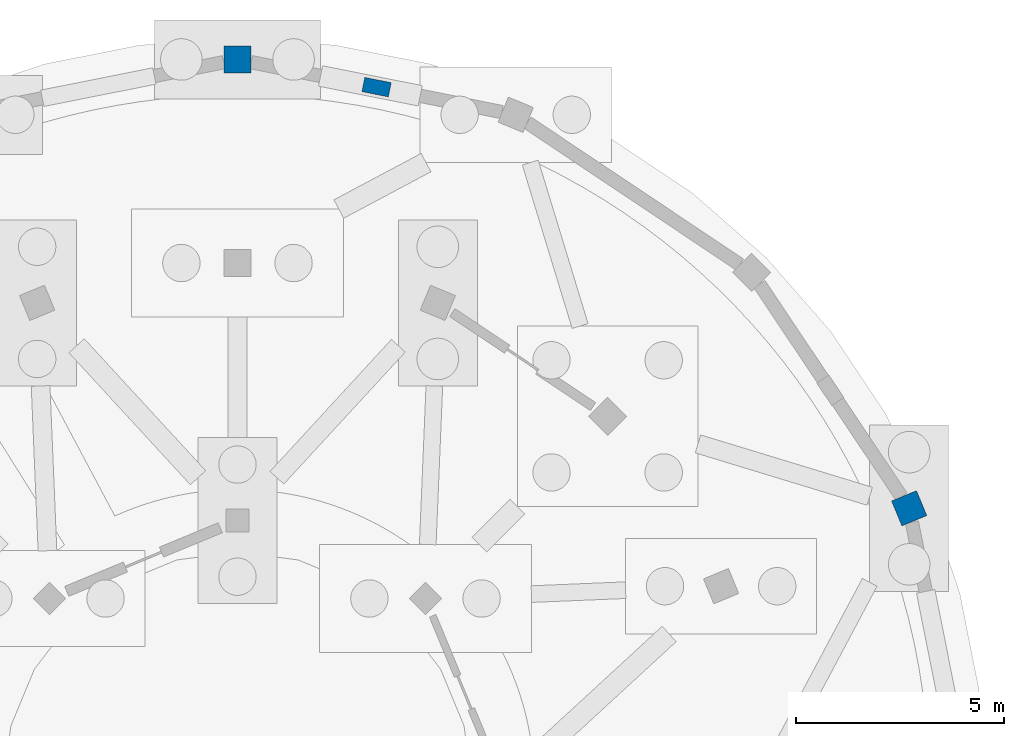
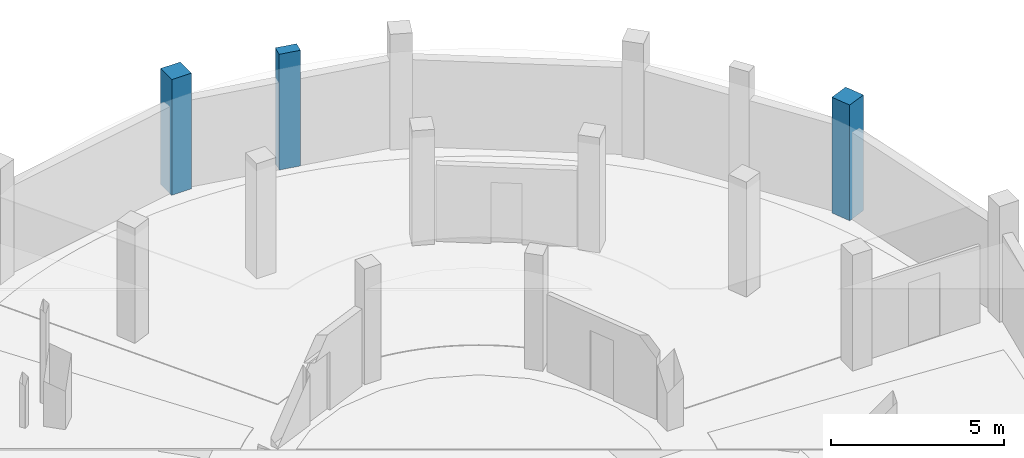
# One storey, part 32 of 58: 3 columns.
"""IFC4 building model written with IfcOpenShell, lengths in metres."""

import ifcopenshell
import ifcopenshell.guid

model = None  # the IFC model being written
_history = None  # IfcOwnerHistory: only IFC2X3 demands one
_inside = {}  # id of a spatial element -> (the spatial element, [elements in it])
_under = {}  # id of a project, library or spatial element -> (it, [spatial elements below it])
_declared = {}  # id of a project -> (the project, [libraries it declares])
_typed = {}  # id of a type object -> (the type object, [elements of that type])
_made_of = {}  # id of a material, layer set ... -> (it, [elements and type objects made of it])


def new_model(schema):
    """Start an empty IFC model of exactly this schema.

    Asked for "IFC4X3", IfcOpenShell would pick the latest addendum, in which some entities
    have other attributes; the version numbers below select the first issue.
    IFC2X3 requires an IfcOwnerHistory on every rooted entity: one is made here for all.
    """
    global model, _history
    if schema == "IFC4X3":
        model = ifcopenshell.file(schema_version=(4, 3, 0, 0))
    else:
        model = ifcopenshell.file(schema=schema)
    _inside.clear()
    _under.clear()
    _declared.clear()
    _typed.clear()
    _made_of.clear()
    _history = None
    if model.schema == "IFC2X3":
        org = make("IfcOrganization", Name="unknown")
        user = make(
            "IfcPersonAndOrganization",
            ThePerson=make("IfcPerson", FamilyName="unknown"),
            TheOrganization=org,
        )
        app = make(
            "IfcApplication",
            ApplicationDeveloper=org,
            Version="unknown",
            ApplicationFullName="unknown",
            ApplicationIdentifier="unknown",
        )
        _history = make(
            "IfcOwnerHistory",
            OwningUser=user,
            OwningApplication=app,
            ChangeAction="ADDED",
            CreationDate=0,
        )
    return model


def make(cls, **values):
    """One entity of the class cls with the attributes given. An attribute that is None is left unset."""
    return model.create_entity(
        cls, **{name: value for name, value in values.items() if value is not None}
    )


def rooted(cls, **values):
    """An entity with a GlobalId (a new one), such as an element, a storey or a relation."""
    return make(cls, GlobalId=ifcopenshell.guid.new(), OwnerHistory=_history, **values)


def si_unit(unit_type, name, prefix=None):
    """IfcSIUnit, for example si_unit("LENGTHUNIT", "METRE", prefix="MILLI")."""
    return make("IfcSIUnit", UnitType=unit_type, Prefix=prefix, Name=name)


def assignment(units):
    """IfcUnitAssignment: the units of a project."""
    return None if units is None else make("IfcUnitAssignment", Units=units)


def point(xyz):
    """IfcCartesianPoint."""
    return None if xyz is None else make("IfcCartesianPoint", Coordinates=xyz)


def direction(xyz):
    """IfcDirection."""
    return None if xyz is None else make("IfcDirection", DirectionRatios=xyz)


def frame(location, z_axis=None, x_axis=None):
    """IfcAxis2Placement3D, a coordinate frame: its origin and axes. An axis left out is left unset."""
    return make(
        "IfcAxis2Placement3D",
        Location=point(location),
        Axis=direction(z_axis),
        RefDirection=direction(x_axis),
    )


def frame_2d(location, x_axis=None):
    """IfcAxis2Placement2D, a coordinate frame in the plane: its origin and x axis."""
    return make(
        "IfcAxis2Placement2D", Location=point(location), RefDirection=direction(x_axis)
    )


def origin():
    """The frame at (0, 0, 0) with its axes left unset."""
    return frame((0.0, 0.0, 0.0))


def origin_2d():
    """The frame at (0, 0) in the plane with its x axis left unset."""
    return frame_2d((0.0, 0.0))


def place(relative_to, where):
    """IfcLocalPlacement: puts the frame where relative to a parent placement (None: the world)."""
    return make(
        "IfcLocalPlacement", PlacementRelTo=relative_to, RelativePlacement=where
    )


def context(
    kind, dimensions, precision=None, world=None, true_north=None, identifier=None
):
    """IfcGeometricRepresentationContext, for example the 3D "Model" context."""
    return make(
        "IfcGeometricRepresentationContext",
        ContextIdentifier=identifier,
        ContextType=kind,
        CoordinateSpaceDimension=dimensions,
        Precision=precision,
        WorldCoordinateSystem=world,
        TrueNorth=true_north,
    )


def subcontext(parent, identifier, kind, view, scale=None):
    """IfcGeometricRepresentationSubContext, for example "Body" below "Model"."""
    return make(
        "IfcGeometricRepresentationSubContext",
        ContextIdentifier=identifier,
        ContextType=kind,
        ParentContext=parent,
        TargetScale=scale,
        TargetView=view,
    )


def project(units=None, contexts=None):
    """IfcProject with its units and contexts."""
    return rooted(
        "IfcProject",
        Name="project",
        RepresentationContexts=contexts,
        UnitsInContext=assignment(units),
    )


def spatial(cls, under=None, at=None, **own):
    """A site, building, storey or space (cls), placed at a placement, below another one or the project."""
    s = rooted(cls, ObjectPlacement=at, **own)
    if under is not None:
        _under.setdefault(under.id(), (under, []))[1].append(s)
    return s


def profile(cls, at=None, kind="AREA", **sizes):
    """A parametric profile (cls). Its sizes go by their IFC names, for example OverallWidth=200.0."""
    return make(cls, ProfileType=kind, Position=at, **sizes)


def rectangle(**sizes):
    """IfcRectangleProfileDef."""
    return profile("IfcRectangleProfileDef", **sizes)


def extrude(swept, where, along, depth):
    """IfcExtrudedAreaSolid: the profile swept, set in the frame where, extruded along a direction by depth."""
    return make(
        "IfcExtrudedAreaSolid",
        SweptArea=swept,
        Position=where,
        ExtrudedDirection=direction(along),
        Depth=depth,
    )


def shape(context_of_items, identifier, shape_type, items):
    """IfcShapeRepresentation: the items that make up one representation, for example the "Body"."""
    return make(
        "IfcShapeRepresentation",
        ContextOfItems=context_of_items,
        RepresentationIdentifier=identifier,
        RepresentationType=shape_type,
        Items=items,
    )


def material(Name=None, Category=None):
    """IfcMaterial."""
    return make("IfcMaterial", Name=Name, Category=Category)


def material_profile(
    of_material, cross_section, Name=None, Category=None, Priority=None
):
    """IfcMaterialProfile: a cross section and its material."""
    return make(
        "IfcMaterialProfile",
        Name=Name,
        Material=of_material,
        Profile=cross_section,
        Priority=Priority,
        Category=Category,
    )


def profile_set(profiles, Name=None, composite=None):
    """IfcMaterialProfileSet."""
    return make(
        "IfcMaterialProfileSet",
        Name=Name,
        MaterialProfiles=profiles,
        CompositeProfile=composite,
    )


def made_of(thing, what):
    """Note that an element or type object is made of a material, layer set ...; save() writes the relation."""
    if what is not None:
        _made_of.setdefault(what.id(), (what, []))[1].append(thing)
    return thing


def type_object(cls, material=None, **own):
    """A type object (cls), such as IfcWallType, which elements share."""
    return made_of(rooted(cls, **own), material)


def element(
    cls,
    number,
    at=None,
    inside=None,
    cuts=None,
    type_object=None,
    material=None,
    context=None,
    identifier="Body",
    shape_type=None,
    held_by="IfcProductDefinitionShape",
    body=None,
    shapes=None,
    **own,
):
    """One element of the class cls, such as IfcWall. Its Tag is "e" and its number.

    at: its placement. inside: the storey or other place that contains it. cuts: it is an
    opening in that element (IfcRelVoidsElement). A single representation is given by context,
    identifier, shape_type and body (its items); several are given by shapes. held_by: the class
    of the entity that holds the representations. save() writes the other relations.
    """
    e = rooted(cls, Tag="e%d" % number, ObjectPlacement=at, **own)
    if body is not None:
        shapes = [shape(context, identifier, shape_type, body)]
    if shapes is not None:
        e.Representation = make(held_by, Representations=shapes)
    if inside is not None:
        _inside.setdefault(inside.id(), (inside, []))[1].append(e)
    if cuts is not None:
        rooted(
            "IfcRelVoidsElement", RelatingBuildingElement=cuts, RelatedOpeningElement=e
        )
    if type_object is not None:
        _typed.setdefault(type_object.id(), (type_object, []))[1].append(e)
    return made_of(e, material)


def aggregate(whole, parts):
    """IfcRelAggregates: a whole, such as a stair, and the parts it consists of."""
    return rooted("IfcRelAggregates", RelatingObject=whole, RelatedObjects=parts)


def save(model, path):
    """Write the relations noted so far, then the file.

    IfcRelAggregates (storeys below a building ...), IfcRelContainedInSpatialStructure (elements
    in a storey), IfcRelDefinesByType, IfcRelAssociatesMaterial and IfcRelDeclares: one each for
    every whole, place, type object, material and project.
    """
    for whole, parts in _under.values():
        aggregate(whole, parts)
    for where, things in _inside.values():
        rooted(
            "IfcRelContainedInSpatialStructure",
            RelatedElements=things,
            RelatingStructure=where,
        )
    for kind, things in _typed.values():
        rooted("IfcRelDefinesByType", RelatedObjects=things, RelatingType=kind)
    for what, things in _made_of.values():
        rooted("IfcRelAssociatesMaterial", RelatedObjects=things, RelatingMaterial=what)
    for by, libraries in _declared.values():
        rooted("IfcRelDeclares", RelatingContext=by, RelatedDefinitions=libraries)
    model.write(path)


model = new_model("IFC4")

# Units and contexts
model_context = context("Model", 3, precision=1e-05, world=origin(), true_north=direction((0.0, 1.0)))
body_context = subcontext(model_context, "Body", "Model", "MODEL_VIEW")
ifc_project = project(units=[si_unit("LENGTHUNIT", "METRE"), si_unit("AREAUNIT", "SQUARE_METRE"), si_unit("VOLUMEUNIT", "CUBIC_METRE"), si_unit("PLANEANGLEUNIT", "RADIAN"), si_unit("MASSUNIT", "GRAM", prefix="KILO")], contexts=[model_context])

# Site, building, storey
site_placement = place(None, origin())
site = spatial("IfcSite", under=ifc_project, at=site_placement, CompositionType="ELEMENT")
building_placement = place(site_placement, origin())
building = spatial("IfcBuilding", under=site, at=building_placement, Name="Caldaven Crescent School", CompositionType="ELEMENT")
storey_placement = place(building_placement, frame((0.0, 0.0, -4.080078125)))
storey = spatial("IfcBuildingStorey", under=building, at=storey_placement, Name="B1", CompositionType="ELEMENT", Elevation=-4.080078125)

# Columns
ifc_material_1 = material(Name="Concrete C35/45", Category="concrete")
ifc_material_profile_1 = material_profile(ifc_material_1, rectangle(XDim=0.64990234375, YDim=0.64990234375, at=origin_2d()), Name="RC 650x650")
ifc_profile_set_1 = profile_set([ifc_material_profile_1], Name="Concrete C35/45")
column_type_1 = type_object("IfcColumnType", Name="COL-RC65", PredefinedType="COLUMN", material=ifc_profile_set_1)
for number, where, z_axis, x_axis, name in (
    (1, (168.66796875, 105.197021484375, 0.0), (0.0, 0.0, 1.0), (0.923879532511, 0.382683432365, 0.0), "COL-V1-B1-OUT-01"),
    (2, (152.5, 116.0, 0.0), (0.0, 0.0, 1.0), (0.0, 1.0, 0.0), "COL-V1-B1-OUT-04"),
):
    element("IfcColumn", number, at=place(storey_placement, frame(where, z_axis=z_axis, x_axis=x_axis)), inside=storey, type_object=column_type_1, Name=name, PredefinedType="COLUMN", context=body_context, shape_type="SweptSolid", body=[
        extrude(rectangle(XDim=0.64990234375, YDim=0.64990234375, at=origin_2d()), origin(), (0.0, 0.0, 1.0), 4.080078125),
    ])
ifc_material_2 = material(Name="Concrete C30/37", Category="concrete")
ifc_material_profile_2 = material_profile(ifc_material_2, rectangle(XDim=0.35009765625, YDim=0.64990234375, at=origin_2d()), Name="RC 350x650")
ifc_profile_set_2 = profile_set([ifc_material_profile_2], Name="Concrete C30/37")
column_type_2 = type_object("IfcColumnType", Name="PIL-RC35", PredefinedType="PILASTER", material=ifc_profile_set_2)
column_placement = place(storey_placement, frame((155.848388671875, 115.333984375, 0.0), z_axis=(0.0, 0.0, 1.0), x_axis=(0.195090322016, 0.980785280403, 0.0)))
element("IfcColumn", 3, at=column_placement, inside=storey, type_object=column_type_2, Name="PIL-V1-B1-01", PredefinedType="PILASTER", context=body_context, shape_type="SweptSolid", body=[
    extrude(rectangle(XDim=0.35009765625, YDim=0.64990234375, at=origin_2d()), origin(), (0.0, 0.0, 1.0), 4.080078125),
])

save(model, "model.ifc")
